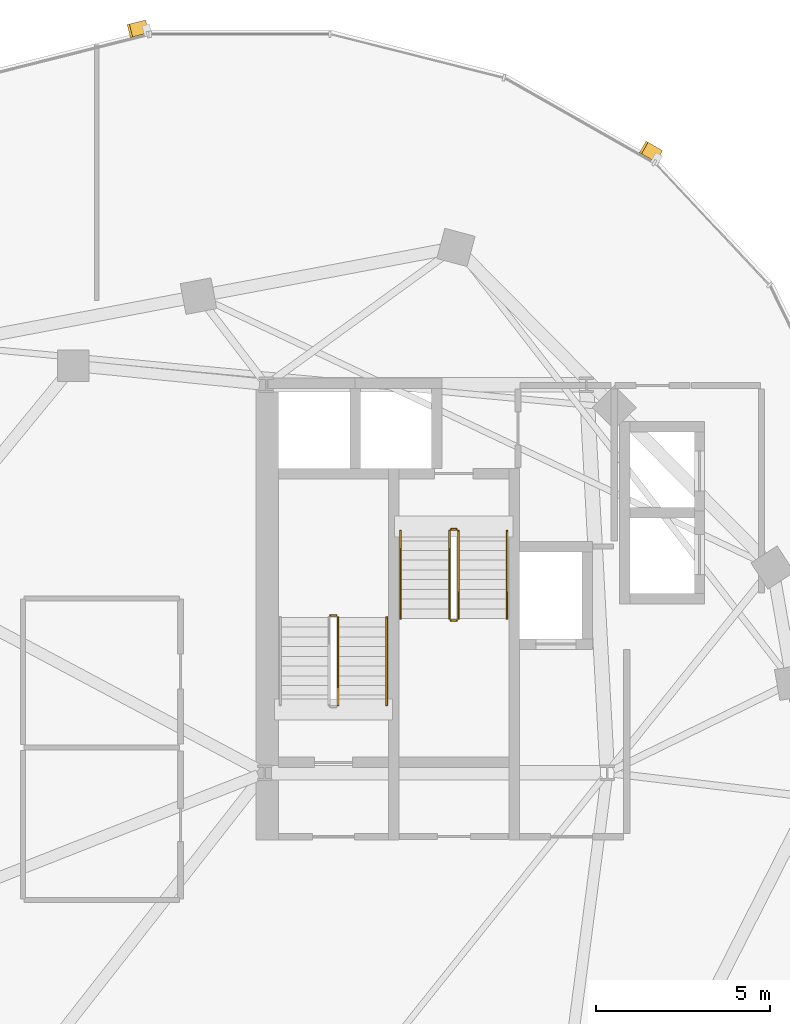
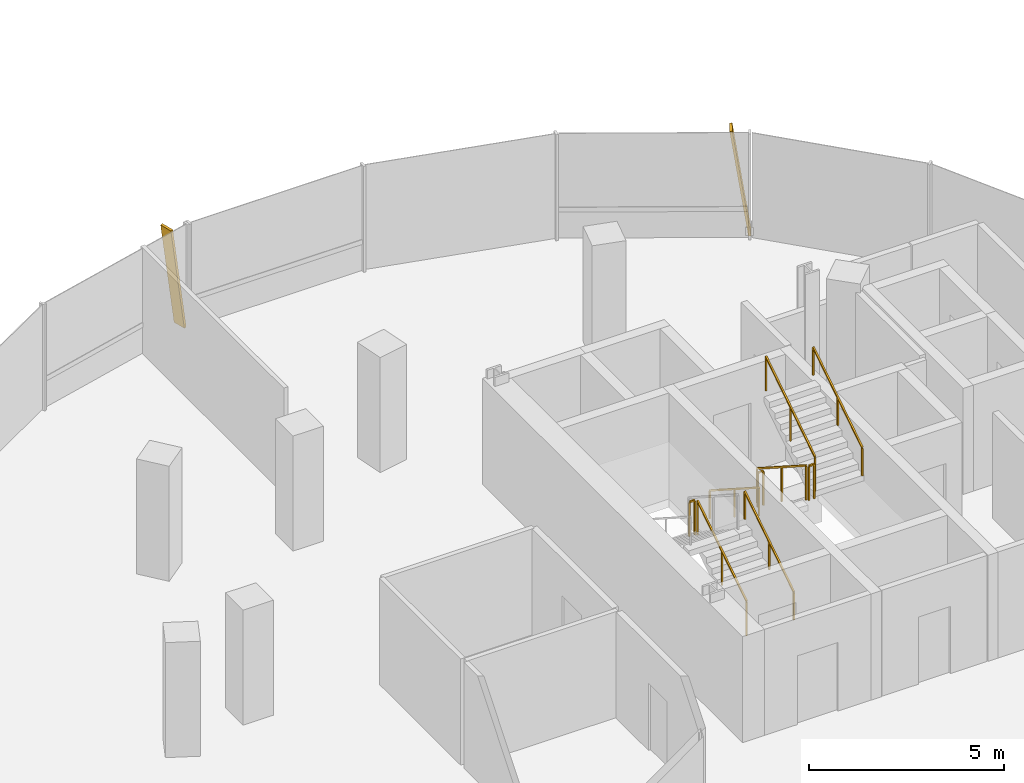
# One storey, part 22 of 24: 9 railings, 2 shading devices.
"""IFC4 building model written with IfcOpenShell, lengths in metres."""

from ifc_helpers import new_model, si_unit, direction, frame, origin, origin_2d, place, context, subcontext, project, spatial, rectangle, extrude, material, material_profile, profile_set, type_object, element, save


model = new_model("IFC4")

# Units and contexts
model_context = context("Model", 3, precision=1e-05, world=origin(), true_north=direction((0.0, 1.0)))
body_context = subcontext(model_context, "Body", "Model", "MODEL_VIEW")
ifc_project = project(units=[si_unit("LENGTHUNIT", "METRE"), si_unit("AREAUNIT", "SQUARE_METRE"), si_unit("VOLUMEUNIT", "CUBIC_METRE"), si_unit("PLANEANGLEUNIT", "RADIAN"), si_unit("MASSUNIT", "GRAM", prefix="KILO"), si_unit("THERMODYNAMICTEMPERATUREUNIT", "KELVIN"), si_unit("POWERUNIT", "WATT")], contexts=[model_context])

# Site, building, storey
site_placement = place(None, origin())
site = spatial("IfcSite", under=ifc_project, at=site_placement, CompositionType="ELEMENT")
building_placement = place(site_placement, origin())
building = spatial("IfcBuilding", under=site, at=building_placement, Name="Cundina Bronze Exchange", CompositionType="ELEMENT")
storey_placement = place(building_placement, frame((0.0, 0.0, 231.39990234375)))
storey = spatial("IfcBuildingStorey", under=building, at=storey_placement, Name="L61", CompositionType="ELEMENT", Elevation=231.39990234375)

# Railings
ifc_material_1 = material(Name="Steel ASTM A36 Painted", Category="steel")
railing_type_1 = type_object("IfcRailingType", Name="RLG-HND-900", PredefinedType="HANDRAIL", material=ifc_material_1)
railing_1_placement = place(storey_placement, frame((-27.7900390625, 5.85009765625, 0.18017578125)))
element("IfcRailing", 1, at=railing_1_placement, inside=storey, type_object=railing_type_1, Name="L61 ST-W1 stair handrail 1", PredefinedType="HANDRAIL", context=body_context, shape_type="SweptSolid", body=[
    extrude(rectangle(XDim=0.048095703125, YDim=0.048095703125, at=origin_2d()), frame((0.0, 0.0, 0.8759765625), z_axis=(0.0, 0.841199657755, 0.540724639528), x_axis=(-1.0, 0.0, 0.0)), (0.0, 0.0, 1.0), 2.995849609375),
    extrude(rectangle(XDim=0.0419921875, YDim=0.0419921875, at=origin_2d()), origin(), (0.0, 0.0, 1.0), 0.851806640625),
    extrude(rectangle(XDim=0.0419921875, YDim=0.0419921875, at=origin_2d()), frame((0.0, 1.260009765625, 0.81005859375)), (0.0, 0.0, 1.0), 0.851806640625),
    extrude(rectangle(XDim=0.0419921875, YDim=0.0419921875, at=origin_2d()), frame((0.0, 2.52001953125, 1.619873046875)), (0.0, 0.0, 1.0), 0.851806640625),
])
railing_2_placement = place(storey_placement, frame((-27.389892578125, 10.85009765625, 0.18017578125)))
element("IfcRailing", 2, at=railing_2_placement, inside=storey, type_object=railing_type_1, Name="L61 ST-W2 stair handrail 1", PredefinedType="HANDRAIL", context=body_context, shape_type="SweptSolid", body=[
    extrude(rectangle(XDim=0.048095703125, YDim=0.048095703125, at=origin_2d()), frame((0.0, 0.0, 0.8759765625), z_axis=(0.0, -0.841199657755, 0.540724639528), x_axis=(1.0, 0.0, 0.0)), (0.0, 0.0, 1.0), 2.995849609375),
    extrude(rectangle(XDim=0.0419921875, YDim=0.0419921875, at=origin_2d()), origin(), (0.0, 0.0, 1.0), 0.851806640625),
    extrude(rectangle(XDim=0.0419921875, YDim=0.0419921875, at=origin_2d()), frame((0.0, -1.260009765625, 0.81005859375)), (0.0, 0.0, 1.0), 0.851806640625),
    extrude(rectangle(XDim=0.0419921875, YDim=0.0419921875, at=origin_2d()), frame((0.0, -2.52001953125, 1.619873046875)), (0.0, 0.0, 1.0), 0.851806640625),
])
railing_3_placement = place(storey_placement, frame((-24.330078125, 8.330078125, 1.97998046875)))
element("IfcRailing", 3, at=railing_3_placement, inside=storey, type_object=railing_type_1, Name="L61 ST-W2 stair handrail 2", PredefinedType="HANDRAIL", context=body_context, shape_type="SweptSolid", body=[
    extrude(rectangle(XDim=0.048095703125, YDim=0.048095703125, at=origin_2d()), frame((0.0, 0.0, 0.8759765625), z_axis=(0.0, 0.841162588446, 0.540782303519), x_axis=(-1.0, 0.0, 0.0)), (0.0, 0.0, 1.0), 2.995849609375),
    extrude(rectangle(XDim=0.0419921875, YDim=0.0419921875, at=origin_2d()), origin(), (0.0, 0.0, 1.0), 0.851806640625),
    extrude(rectangle(XDim=0.0419921875, YDim=0.0419921875, at=origin_2d()), frame((0.0, 1.260009765625, 0.81005859375)), (0.0, 0.0, 1.0), 0.851806640625),
    extrude(rectangle(XDim=0.0419921875, YDim=0.0419921875, at=origin_2d()), frame((0.0, 2.52001953125, 1.6201171875)), (0.0, 0.0, 1.0), 0.851806640625),
])
railing_type_2 = type_object("IfcRailingType", Name="RLG-STG-1100", PredefinedType="GUARDRAIL", material=ifc_material_1)
railing_4_placement = place(storey_placement, frame((-29.18994140625, 5.85009765625, 0.18017578125)))
element("IfcRailing", 4, at=railing_4_placement, inside=storey, type_object=railing_type_2, Name="L61 ST-W1 stair guard 1", PredefinedType="GUARDRAIL", context=body_context, shape_type="SweptSolid", body=[
    extrude(rectangle(XDim=0.048095703125, YDim=0.048095703125, at=origin_2d()), frame((0.0, 0.0, 1.076171875), z_axis=(0.0, 0.841199657755, 0.540724639528), x_axis=(-1.0, 0.0, 0.0)), (0.0, 0.0, 1.0), 2.995849609375),
    extrude(rectangle(XDim=0.0419921875, YDim=0.0419921875, at=origin_2d()), origin(), (0.0, 0.0, 1.0), 1.052001953125),
    extrude(rectangle(XDim=0.0419921875, YDim=0.0419921875, at=origin_2d()), frame((0.0, 1.260009765625, 0.81005859375)), (0.0, 0.0, 1.0), 1.052001953125),
    extrude(rectangle(XDim=0.0419921875, YDim=0.0419921875, at=origin_2d()), frame((0.0, 2.52001953125, 1.619873046875)), (0.0, 0.0, 1.0), 1.052001953125),
])
railing_5_placement = place(storey_placement, frame((-29.239990234375, 8.419921875, 1.800048828125)))
element("IfcRailing", 5, at=railing_5_placement, inside=storey, type_object=railing_type_2, Name="L61 ST-W1 stair guard 2", PredefinedType="GUARDRAIL", context=body_context, shape_type="SweptSolid", body=[
    extrude(rectangle(XDim=0.048095703125, YDim=0.048095703125, at=origin_2d()), frame((0.0, 0.0, 1.076171875), z_axis=(-1.0, 0.0, 0.0), x_axis=(0.0, -1.0, 0.0)), (0.0, 0.0, 1.0), 0.159912109375),
    extrude(rectangle(XDim=0.0419921875, YDim=0.0419921875, at=origin_2d()), origin(), (0.0, 0.0, 1.0), 1.052001953125),
    extrude(rectangle(XDim=0.0419921875, YDim=0.0419921875, at=origin_2d()), frame((-0.159912109375, 0.0, 0.0)), (0.0, 0.0, 1.0), 1.052001953125),
])
railing_6_placement = place(storey_placement, frame((-25.989990234375, 10.85009765625, 0.18017578125)))
element("IfcRailing", 6, at=railing_6_placement, inside=storey, type_object=railing_type_2, Name="L61 ST-W2 stair guard 1", PredefinedType="GUARDRAIL", context=body_context, shape_type="SweptSolid", body=[
    extrude(rectangle(XDim=0.048095703125, YDim=0.048095703125, at=origin_2d()), frame((0.0, 0.0, 1.076171875), z_axis=(0.0, -0.841199657755, 0.540724639528), x_axis=(1.0, 0.0, 0.0)), (0.0, 0.0, 1.0), 2.995849609375),
    extrude(rectangle(XDim=0.0419921875, YDim=0.0419921875, at=origin_2d()), origin(), (0.0, 0.0, 1.0), 1.052001953125),
    extrude(rectangle(XDim=0.0419921875, YDim=0.0419921875, at=origin_2d()), frame((0.0, -1.260009765625, 0.81005859375)), (0.0, 0.0, 1.0), 1.052001953125),
    extrude(rectangle(XDim=0.0419921875, YDim=0.0419921875, at=origin_2d()), frame((0.0, -2.52001953125, 1.619873046875)), (0.0, 0.0, 1.0), 1.052001953125),
])
railing_7_placement = place(storey_placement, frame((-25.93994140625, 8.280029296875, 1.800048828125)))
element("IfcRailing", 7, at=railing_7_placement, inside=storey, type_object=railing_type_2, Name="L61 ST-W2 stair guard 2", PredefinedType="GUARDRAIL", context=body_context, shape_type="SweptSolid", body=[
    extrude(rectangle(XDim=0.048095703125, YDim=0.048095703125, at=origin_2d()), frame((0.0, 0.0, 1.076171875), z_axis=(1.0, 0.0, 0.0), x_axis=(0.0, 1.0, 0.0)), (0.0, 0.0, 1.0), 0.159912109375),
    extrude(rectangle(XDim=0.0419921875, YDim=0.0419921875, at=origin_2d()), origin(), (0.0, 0.0, 1.0), 1.052001953125),
    extrude(rectangle(XDim=0.0419921875, YDim=0.0419921875, at=origin_2d()), frame((0.159912109375, 0.0, 0.0)), (0.0, 0.0, 1.0), 1.052001953125),
])
railing_8_placement = place(storey_placement, frame((-25.72998046875, 8.330078125, 1.97998046875)))
element("IfcRailing", 8, at=railing_8_placement, inside=storey, type_object=railing_type_2, Name="L61 ST-W2 stair guard 3", PredefinedType="GUARDRAIL", context=body_context, shape_type="SweptSolid", body=[
    extrude(rectangle(XDim=0.048095703125, YDim=0.048095703125, at=origin_2d()), frame((0.0, 0.0, 1.076171875), z_axis=(0.0, 0.841162588446, 0.540782303519), x_axis=(-1.0, 0.0, 0.0)), (0.0, 0.0, 1.0), 2.995849609375),
    extrude(rectangle(XDim=0.0419921875, YDim=0.0419921875, at=origin_2d()), origin(), (0.0, 0.0, 1.0), 1.052001953125),
    extrude(rectangle(XDim=0.0419921875, YDim=0.0419921875, at=origin_2d()), frame((0.0, 1.260009765625, 0.81005859375)), (0.0, 0.0, 1.0), 1.052001953125),
    extrude(rectangle(XDim=0.0419921875, YDim=0.0419921875, at=origin_2d()), frame((0.0, 2.52001953125, 1.6201171875)), (0.0, 0.0, 1.0), 1.052001953125),
])
railing_9_placement = place(storey_placement, frame((-25.93994140625, 10.89990234375, 0.0)))
element("IfcRailing", 9, at=railing_9_placement, inside=storey, type_object=railing_type_2, Name="L61 ST-W2 stair guard 4", PredefinedType="GUARDRAIL", context=body_context, shape_type="SweptSolid", body=[
    extrude(rectangle(XDim=0.048095703125, YDim=0.048095703125, at=origin_2d()), frame((0.0, 0.0, 1.076171875), z_axis=(1.0, 0.0, 0.0), x_axis=(0.0, 1.0, 0.0)), (0.0, 0.0, 1.0), 0.159912109375),
    extrude(rectangle(XDim=0.0419921875, YDim=0.0419921875, at=origin_2d()), origin(), (0.0, 0.0, 1.0), 1.052001953125),
    extrude(rectangle(XDim=0.0419921875, YDim=0.0419921875, at=origin_2d()), frame((0.159912109375, 0.0, 0.0)), (0.0, 0.0, 1.0), 1.052001953125),
])

# Shading devices
ifc_material_2 = material(Name="Anodised Bronze Aluminium 6063-T6", Category="aluminium")
ifc_material_profile = material_profile(ifc_material_2, rectangle(XDim=0.070068359375, YDim=0.3798828125, at=origin_2d()), Name="FIN70X380", Category="aluminium")
ifc_profile_set = profile_set([ifc_material_profile], Name="Anodised Bronze Aluminium 6063-T6")
shading_device_type = type_object("IfcShadingDeviceType", Name="SHD-FIN-BRZ380", PredefinedType="USERDEFINED", material=ifc_profile_set)
for number, where, z_axis, x_axis, name in (
    (10, (-19.984375, 21.635498046875, 0.02001953125), (-0.125937624803, 0.071511949523, 0.989457303644), (0.860417819246, -0.488576434203, 0.144824874471), "L61 Diagonal Bronze Solar Fin 5"),
    (11, (-34.705810546875, 25.344482421875, 0.02001953125), (-0.140446187226, -0.035350901871, 0.989457013837), (0.959528297059, 0.241517347975, 0.144826854449), "L61 Diagonal Bronze Solar Fin 1"),
):
    element("IfcShadingDevice", number, at=place(storey_placement, frame(where, z_axis=z_axis, x_axis=x_axis)), inside=storey, type_object=shading_device_type, Name=name, ObjectType="FIN", PredefinedType="USERDEFINED", context=body_context, shape_type="SweptSolid", body=[
        extrude(rectangle(XDim=0.070068359375, YDim=0.3798828125, at=origin_2d()), origin(), (0.0, 0.0, 1.0), 3.31494140625),
    ])

save(model, "model.ifc")
